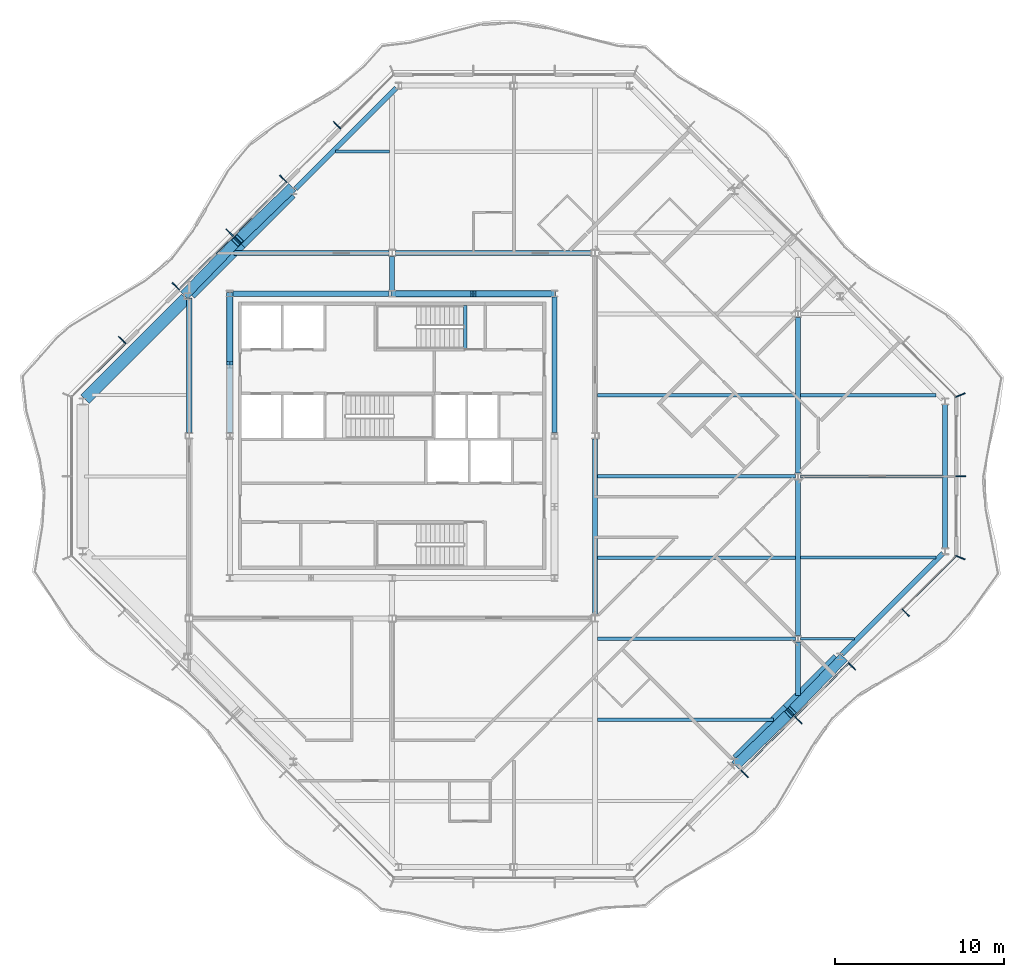
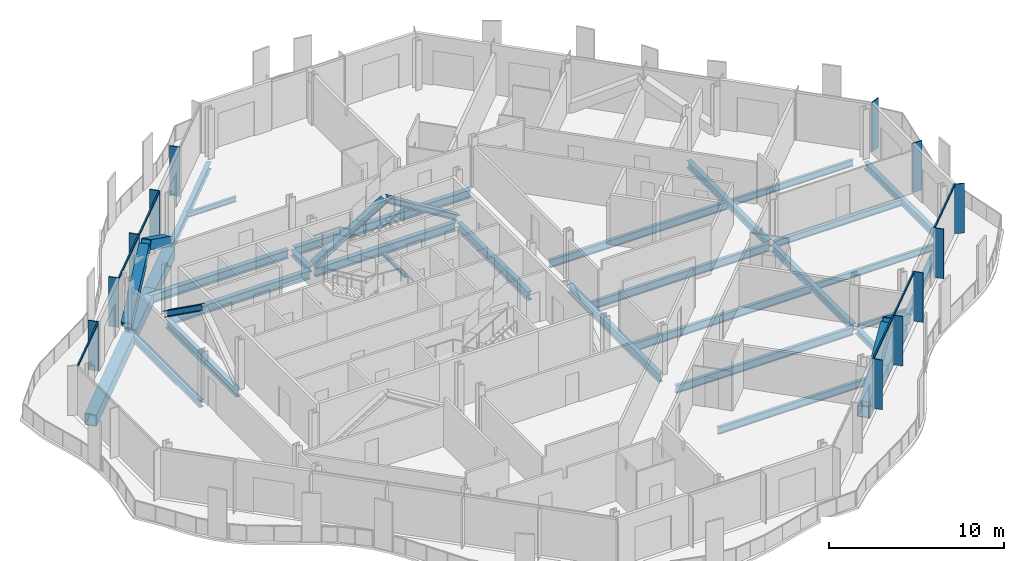
# One storey, part 4 of 16: 31 beams, 25 members, 4 elements without a shape of their own.
"""IFC4 building model written with IfcOpenShell, lengths in metres."""

from ifc_helpers import new_model, si_unit, direction, frame, origin, origin_2d, place, context, subcontext, project, spatial, rectangle, hollow_rectangle, i_section, extrude, material, material_profile, profile_set, type_object, element, aggregate, save


model = new_model("IFC4")

# Units and contexts
model_context = context("Model", 3, precision=1e-05, world=origin(), true_north=direction((0.0, 1.0)))
body_context = subcontext(model_context, "Body", "Model", "MODEL_VIEW")
ifc_project = project(units=[si_unit("LENGTHUNIT", "METRE"), si_unit("AREAUNIT", "SQUARE_METRE"), si_unit("VOLUMEUNIT", "CUBIC_METRE"), si_unit("PLANEANGLEUNIT", "RADIAN"), si_unit("MASSUNIT", "GRAM", prefix="KILO")], contexts=[model_context])

# Site, building, storey
site_placement = place(None, origin())
site = spatial("IfcSite", under=ifc_project, at=site_placement, CompositionType="ELEMENT")
building_placement = place(site_placement, origin())
building = spatial("IfcBuilding", under=site, at=building_placement, Name="Cairn Pilgrim Tower", CompositionType="ELEMENT")
storey_placement = place(building_placement, frame((0.0, 0.0, 277.800048828125)))
storey = spatial("IfcBuildingStorey", under=building, at=storey_placement, Name="L71", CompositionType="ELEMENT", Elevation=277.800048828125)

# Members
ifc_material_1 = material(Name="Structural steel S460M", Category="steel")
ifc_material_profile_1 = material_profile(ifc_material_1, hollow_rectangle(XDim=0.60009765625, YDim=0.60009765625, WallThickness=0.034912109375, at=origin_2d()), Name="BOX 600x600x35")
ifc_profile_set_1 = profile_set([ifc_material_profile_1], Name="Structural steel S460M")
member_type_1 = type_object("IfcMemberType", Name="BOX 600x600x35 BRACE", PredefinedType="BRACE", material=ifc_profile_set_1)
member_1_placement = place(storey_placement, frame((27.609130859375, -16.9921875, 0.14990234375), z_axis=(0.612497315066, 0.592528264357, 0.523218209713), x_axis=(-0.695293517132, 0.718725903967, 0.0)))
element("IfcMember", 1, at=member_1_placement, inside=storey, type_object=member_type_1, Name="XB-SE2-SE3-1", PredefinedType="BRACE", context=body_context, shape_type="SweptSolid", body=[
    extrude(hollow_rectangle(XDim=0.60009765625, YDim=0.60009765625, WallThickness=0.034912109375, at=origin_2d()), origin(), (0.0, 0.0, 1.0), 5.037109375),
])
member_2_placement = place(storey_placement, frame((33.7919921875, -10.80908203125, 0.14990234375), z_axis=(-0.59249681125, -0.612514905413, 0.523233236048), x_axis=(0.718754326239, -0.695264135788, 0.0)))
element("IfcMember", 2, at=member_2_placement, inside=storey, type_object=member_type_1, Name="XB-SE2-SE3-2", PredefinedType="BRACE", context=body_context, shape_type="SweptSolid", body=[
    extrude(hollow_rectangle(XDim=0.60009765625, YDim=0.60009765625, WallThickness=0.034912109375, at=origin_2d()), origin(), (0.0, 0.0, 1.0), 5.036865234375),
])
for number, where, z_axis, x_axis, name in (
    (3, (1.19091796875, 16.9921875, 0.14990234375), (-0.612497315066, -0.592528264357, 0.523218209713), (0.695293517132, -0.718725903967, 0.0), "XB-NW2-NW3-1"),
    (4, (-4.9921875, 10.80908203125, 0.14990234375), (0.592528264357, 0.612497315066, 0.523218209713), (-0.718725903967, 0.695293517132, 0.0), "XB-NW2-NW3-2"),
):
    element("IfcMember", number, at=place(storey_placement, frame(where, z_axis=z_axis, x_axis=x_axis)), inside=storey, type_object=member_type_1, Name=name, PredefinedType="BRACE", context=body_context, shape_type="SweptSolid", body=[
        extrude(hollow_rectangle(XDim=0.60009765625, YDim=0.60009765625, WallThickness=0.034912109375, at=origin_2d()), origin(), (0.0, 0.0, 1.0), 5.037109375),
    ])

# Beams
ifc_material_2 = material(Name="Structural steel S355J2", Category="steel")
ifc_material_profile_2 = material_profile(ifc_material_2, hollow_rectangle(XDim=0.699951171875, YDim=0.800048828125, WallThickness=0.0400390625, at=origin_2d()), Name="BOX 700x800x40")
ifc_profile_set_2 = profile_set([ifc_material_profile_2], Name="Structural steel S355J2")
beam_type_1 = type_object("IfcBeamType", Name="BOX 700x800x40 RING GIRDER", PredefinedType="SPANDREL", material=ifc_profile_set_2)
for number, where, z_axis, x_axis, name in (
    (5, (27.578369140625, -16.748779296875, -0.550048828125), (0.707135695205, 0.707077865986, 0.0), (-0.707077865986, 0.707135695205, 0.0), "RG4-SE2-SE3-1"),
    (6, (30.563720703125, -13.763671875, -0.550048828125), (0.707077865986, 0.707135695205, 0.0), (-0.707135695205, 0.707077865986, 0.0), "RG4-SE2-SE3-2"),
    (7, (1.2216796875, 16.748779296875, -0.550048828125), (-0.707135695205, -0.707077865986, 0.0), (0.707077865986, -0.707135695205, 0.0), "RG4-NW2-NW3-1"),
    (8, (-1.763671875, 13.763671875, -0.550048828125), (-0.707077865986, -0.707135695205, 0.0), (0.707135695205, -0.707077865986, 0.0), "RG4-NW2-NW3-2"),
):
    element("IfcBeam", number, at=place(storey_placement, frame(where, z_axis=z_axis, x_axis=x_axis)), inside=storey, type_object=beam_type_1, Name=name, PredefinedType="SPANDREL", context=body_context, shape_type="SweptSolid", body=[
        extrude(hollow_rectangle(XDim=0.699951171875, YDim=0.800048828125, WallThickness=0.0400390625, at=origin_2d()), origin(), (0.0, 0.0, 1.0), 4.2216796875),
    ])
beam_1_placement = place(storey_placement, frame((-5.002685546875, 10.5244140625, -0.550048828125), z_axis=(-0.707106781187, -0.707106781187, 0.0), x_axis=(0.707106781187, -0.707106781187, 0.0)))
element("IfcBeam", 9, at=beam_1_placement, inside=storey, type_object=beam_type_1, Name="RG4-NW3-W1", PredefinedType="SPANDREL", context=body_context, shape_type="SweptSolid", body=[
    extrude(hollow_rectangle(XDim=0.699951171875, YDim=0.800048828125, WallThickness=0.0400390625, at=origin_2d()), origin(), (0.0, 0.0, 1.0), 8.443115234375),
])

# Curtain wall, members
ifc_material_3 = material(Name="Aluminium alloy 6063-T6 bronze anodised with Bronze tinted laminated low-E glass 8+16+8.8", Category="aluminium")
curtain_wall_type = type_object("IfcCurtainWallType", Name="CROWN CURTAIN WALL", PredefinedType="NOTDEFINED", material=ifc_material_3)
curtain_wall_1_placement = place(storey_placement, origin())
curtain_wall_1 = element("IfcCurtainWall", 10, at=curtain_wall_1_placement, inside=storey, type_object=curtain_wall_type, Name="Crown Curtain Wall SE", PredefinedType="NOTDEFINED")
ifc_material_4 = material(Name="Aluminium alloy 6063-T6 bronze anodised", Category="aluminium")
ifc_material_profile_3 = material_profile(ifc_material_4, rectangle(XDim=0.60009765625, YDim=0.06005859375, at=origin_2d()), Name="FIN MULLION 60x600 BRONZE")
ifc_profile_set_3 = profile_set([ifc_material_profile_3], Name="Aluminium alloy 6063-T6 bronze anodised")
member_type_2 = type_object("IfcMemberType", Name="FIN MULLION 60x600 BRONZE", PredefinedType="MULLION", material=ifc_profile_set_3)
member_3_placement = place(storey_placement, frame((28.03857421875, -17.58984375, 0.0), z_axis=(0.0, 0.0, 1.0), x_axis=(0.707106781187, -0.707106781187, 0.0)))
member_3 = element("IfcMember", 11, at=member_3_placement, type_object=member_type_2, Name="Fin mullion SE3", PredefinedType="MULLION", context=body_context, shape_type="SweptSolid", body=[
    extrude(rectangle(XDim=0.60009765625, YDim=0.06005859375, at=origin_2d()), origin(), (0.0, 0.0, 1.0), 3.449951171875),
])
member_4_placement = place(storey_placement, frame((31.214111328125, -14.4140625, 0.0), z_axis=(0.0, 0.0, 1.0), x_axis=(0.707106781187, -0.707106781187, 0.0)))
member_4 = element("IfcMember", 12, at=member_4_placement, type_object=member_type_2, Name="Fin mullion SE4", PredefinedType="MULLION", context=body_context, shape_type="SweptSolid", body=[
    extrude(rectangle(XDim=0.60009765625, YDim=0.06005859375, at=origin_2d()), origin(), (0.0, 0.0, 1.0), 3.449951171875),
])
member_5_placement = place(storey_placement, frame((34.3896484375, -11.238525390625, 0.0), z_axis=(0.0, 0.0, 1.0), x_axis=(0.707106781187, -0.707106781187, 0.0)))
member_5 = element("IfcMember", 13, at=member_5_placement, type_object=member_type_2, Name="Fin mullion SE5", PredefinedType="MULLION", context=body_context, shape_type="SweptSolid", body=[
    extrude(rectangle(XDim=0.60009765625, YDim=0.06005859375, at=origin_2d()), origin(), (0.0, 0.0, 1.0), 3.449951171875),
])
member_6_placement = place(storey_placement, frame((37.5654296875, -8.06298828125, 0.0), z_axis=(0.0, 0.0, 1.0), x_axis=(0.707106781187, -0.707106781187, 0.0)))
member_6 = element("IfcMember", 14, at=member_6_placement, type_object=member_type_2, Name="Fin mullion SE6", PredefinedType="MULLION", context=body_context, shape_type="SweptSolid", body=[
    extrude(rectangle(XDim=0.60009765625, YDim=0.06005859375, at=origin_2d()), origin(), (0.0, 0.0, 1.0), 3.449951171875),
])

curtain_wall_2_placement = place(storey_placement, origin())
curtain_wall_2 = element("IfcCurtainWall", 15, at=curtain_wall_2_placement, inside=storey, type_object=curtain_wall_type, Name="Crown Curtain Wall E", PredefinedType="NOTDEFINED")
member_7_placement = place(storey_placement, frame((40.799560546875, -4.7998046875, 0.0), z_axis=(0.0, 0.0, 1.0), x_axis=(0.923879532511, -0.382683432365, 0.0)))
member_7 = element("IfcMember", 16, at=member_7_placement, type_object=member_type_2, Name="Fin mullion E1", PredefinedType="MULLION", context=body_context, shape_type="SweptSolid", body=[
    extrude(rectangle(XDim=0.60009765625, YDim=0.06005859375, at=origin_2d()), origin(), (0.0, 0.0, 1.0), 3.449951171875),
])
member_8_placement = place(storey_placement, frame((40.820068359375, 0.0, 0.0), z_axis=(0.0, 0.0, 1.0), x_axis=(1.0, 0.0, 0.0)))
member_8 = element("IfcMember", 17, at=member_8_placement, type_object=member_type_2, Name="Fin mullion E2", PredefinedType="MULLION", context=body_context, shape_type="SweptSolid", body=[
    extrude(rectangle(XDim=0.60009765625, YDim=0.06005859375, at=origin_2d()), origin(), (0.0, 0.0, 1.0), 3.449951171875),
])
aggregate(curtain_wall_2, [member_7, member_8])

# Curtain wall, member
curtain_wall_3_placement = place(storey_placement, origin())
curtain_wall_3 = element("IfcCurtainWall", 18, at=curtain_wall_3_placement, inside=storey, type_object=curtain_wall_type, Name="Crown Curtain Wall NE", PredefinedType="NOTDEFINED")
member_9_placement = place(storey_placement, frame((40.799560546875, 4.7998046875, 0.0), z_axis=(0.0, 0.0, 1.0), x_axis=(0.923879532511, 0.382683432365, 0.0)))
member_9 = element("IfcMember", 19, at=member_9_placement, type_object=member_type_2, Name="Fin mullion NE1", PredefinedType="MULLION", context=body_context, shape_type="SweptSolid", body=[
    extrude(rectangle(XDim=0.60009765625, YDim=0.06005859375, at=origin_2d()), origin(), (0.0, 0.0, 1.0), 3.449951171875),
])
aggregate(curtain_wall_3, [member_9])

# Curtain wall, members
curtain_wall_4_placement = place(storey_placement, origin())
curtain_wall_4 = element("IfcCurtainWall", 20, at=curtain_wall_4_placement, inside=storey, type_object=curtain_wall_type, Name="Crown Curtain Wall NW", PredefinedType="NOTDEFINED")
member_10_placement = place(storey_placement, frame((3.93701171875, 20.765380859375, 0.0), z_axis=(0.0, 0.0, 1.0), x_axis=(-0.707106781187, 0.707106781187, 0.0)))
member_10 = element("IfcMember", 21, at=member_10_placement, type_object=member_type_2, Name="Fin mullion NW2", PredefinedType="MULLION", context=body_context, shape_type="SweptSolid", body=[
    extrude(rectangle(XDim=0.60009765625, YDim=0.06005859375, at=origin_2d()), origin(), (0.0, 0.0, 1.0), 3.449951171875),
])
member_11_placement = place(storey_placement, frame((0.761474609375, 17.58984375, 0.0), z_axis=(0.0, 0.0, 1.0), x_axis=(-0.707106781187, 0.707106781187, 0.0)))
member_11 = element("IfcMember", 22, at=member_11_placement, type_object=member_type_2, Name="Fin mullion NW3", PredefinedType="MULLION", context=body_context, shape_type="SweptSolid", body=[
    extrude(rectangle(XDim=0.60009765625, YDim=0.06005859375, at=origin_2d()), origin(), (0.0, 0.0, 1.0), 3.449951171875),
])
member_12_placement = place(storey_placement, frame((-2.4140625, 14.4140625, 0.0), z_axis=(0.0, 0.0, 1.0), x_axis=(-0.707106781187, 0.707106781187, 0.0)))
member_12 = element("IfcMember", 23, at=member_12_placement, type_object=member_type_2, Name="Fin mullion NW4", PredefinedType="MULLION", context=body_context, shape_type="SweptSolid", body=[
    extrude(rectangle(XDim=0.60009765625, YDim=0.06005859375, at=origin_2d()), origin(), (0.0, 0.0, 1.0), 3.449951171875),
])
member_13_placement = place(storey_placement, frame((-5.58984375, 11.238525390625, 0.0), z_axis=(0.0, 0.0, 1.0), x_axis=(-0.707106781187, 0.707106781187, 0.0)))
member_13 = element("IfcMember", 24, at=member_13_placement, type_object=member_type_2, Name="Fin mullion NW5", PredefinedType="MULLION", context=body_context, shape_type="SweptSolid", body=[
    extrude(rectangle(XDim=0.60009765625, YDim=0.06005859375, at=origin_2d()), origin(), (0.0, 0.0, 1.0), 3.449951171875),
])
member_14_placement = place(storey_placement, frame((-8.765380859375, 8.06298828125, 0.0), z_axis=(0.0, 0.0, 1.0), x_axis=(-0.707106781187, 0.707106781187, 0.0)))
member_14 = element("IfcMember", 25, at=member_14_placement, type_object=member_type_2, Name="Fin mullion NW6", PredefinedType="MULLION", context=body_context, shape_type="SweptSolid", body=[
    extrude(rectangle(XDim=0.60009765625, YDim=0.06005859375, at=origin_2d()), origin(), (0.0, 0.0, 1.0), 3.449951171875),
])

# Members
ifc_material_profile_4 = material_profile(ifc_material_2, i_section(OverallWidth=0.39794921875, OverallDepth=0.386962890625, WebThickness=0.02099609375, FlangeThickness=0.033203125, FilletRadius=0.014892578125, at=origin_2d()), Name="HD 400x262")
ifc_profile_set_4 = profile_set([ifc_material_profile_4], Name="Structural steel S355J2")
member_type_3 = type_object("IfcMemberType", Name="HD 400x262 BRACE", PredefinedType="BRACE", material=ifc_profile_set_4)
for number, where, z_axis, x_axis, name in (
    (26, (16.76025390625, 10.800048828125, 0.099853515625), (-0.851209328867, 0.0, 0.524826331703), (0.0, -1.0, 0.0), "KB-3A"),
    (27, (7.23974609375, 10.800048828125, 0.099853515625), (0.851209328867, 0.0, 0.524826331703), (0.0, 1.0, 0.0), "KB-3B"),
):
    element("IfcMember", number, at=place(storey_placement, frame(where, z_axis=z_axis, x_axis=x_axis)), inside=storey, type_object=member_type_3, Name=name, PredefinedType="BRACE", context=body_context, shape_type="SweptSolid", body=[
        extrude(i_section(OverallWidth=0.39794921875, OverallDepth=0.386962890625, WebThickness=0.02099609375, FlangeThickness=0.033203125, FilletRadius=0.014892578125, at=origin_2d()), origin(), (0.0, 0.0, 1.0), 5.530029296875),
    ])
member_15_placement = place(storey_placement, frame((-2.39990234375, 10.76025390625, 0.099853515625), z_axis=(0.0, -0.814462005215, 0.580216892258), x_axis=(1.0, 0.0, 0.0)))
element("IfcMember", 28, at=member_15_placement, inside=storey, type_object=member_type_3, Name="KB-4A", PredefinedType="BRACE", context=body_context, shape_type="SweptSolid", body=[
    extrude(i_section(OverallWidth=0.39794921875, OverallDepth=0.386962890625, WebThickness=0.02099609375, FlangeThickness=0.033203125, FilletRadius=0.014892578125, at=origin_2d()), origin(), (0.0, 0.0, 1.0), 4.999755859375),
])

# Beams
ifc_material_profile_5 = material_profile(ifc_material_2, i_section(OverallWidth=0.300048828125, OverallDepth=0.39990234375, WebThickness=0.013427734375, FlangeThickness=0.02392578125, FilletRadius=0.027099609375, at=origin_2d()), Name="HEB 400")
ifc_profile_set_5 = profile_set([ifc_material_profile_5], Name="Structural steel S355J2")
beam_type_2 = type_object("IfcBeamType", Name="HEB 400 GIRDER", PredefinedType="BEAM", material=ifc_profile_set_5)
beam_2_placement = place(storey_placement, frame((7.199951171875, 10.9990234375, -0.35009765625), z_axis=(0.0, 1.0, 0.0), x_axis=(-1.0, 0.0, 0.0)))
element("IfcBeam", 29, at=beam_2_placement, inside=storey, type_object=beam_type_2, Name="PG3-E2", PredefinedType="BEAM", context=body_context, shape_type="SweptSolid", body=[
    extrude(i_section(OverallWidth=0.300048828125, OverallDepth=0.39990234375, WebThickness=0.013427734375, FlangeThickness=0.02392578125, FilletRadius=0.027099609375, at=origin_2d()), origin(), (0.0, 0.0, 1.0), 2.00390625),
])
beam_3_placement = place(storey_placement, frame((31.199951171875, -12.945068359375, -0.35009765625), z_axis=(0.0, 1.0, 0.0), x_axis=(-1.0, 0.0, 0.0)))
element("IfcBeam", 30, at=beam_3_placement, inside=storey, type_object=beam_type_2, Name="PG5-1", PredefinedType="BEAM", context=body_context, shape_type="SweptSolid", body=[
    extrude(i_section(OverallWidth=0.300048828125, OverallDepth=0.39990234375, WebThickness=0.013427734375, FlangeThickness=0.02392578125, FilletRadius=0.027099609375, at=origin_2d()), origin(), (0.0, 0.0, 1.0), 3.14794921875),
])
ifc_material_profile_6 = material_profile(ifc_material_2, i_section(OverallWidth=0.300048828125, OverallDepth=0.5, WebThickness=0.014404296875, FlangeThickness=0.028076171875, FilletRadius=0.027099609375, at=origin_2d()), Name="HEB 500")
ifc_profile_set_6 = profile_set([ifc_material_profile_6], Name="Structural steel S355J2")
beam_type_3 = type_object("IfcBeamType", Name="HEB 500 GIRDER", PredefinedType="BEAM", material=ifc_profile_set_6)
beam_4_placement = place(storey_placement, frame((-4.800048828125, 2.596923828125, -0.400146484375), z_axis=(0.0, 1.0, 0.0), x_axis=(-1.0, 0.0, 0.0)))
element("IfcBeam", 31, at=beam_4_placement, inside=storey, type_object=beam_type_3, Name="PG2-2", PredefinedType="BEAM", context=body_context, shape_type="SweptSolid", body=[
    extrude(i_section(OverallWidth=0.300048828125, OverallDepth=0.5, WebThickness=0.014404296875, FlangeThickness=0.028076171875, FilletRadius=0.027099609375, at=origin_2d()), origin(), (0.0, 0.0, 1.0), 7.9482421875),
])
for number, where, z_axis, x_axis, name in (
    (32, (31.199951171875, -9.403076171875, -0.400146484375), (0.0, 1.0, 0.0), (-1.0, 0.0, 0.0), "PG5-2"),
    (33, (31.199951171875, 0.197021484375, -0.400146484375), (0.0, 1.0, 0.0), (-1.0, 0.0, 0.0), "PG5-3"),
):
    element("IfcBeam", number, at=place(storey_placement, frame(where, z_axis=z_axis, x_axis=x_axis)), inside=storey, type_object=beam_type_3, Name=name, PredefinedType="BEAM", context=body_context, shape_type="SweptSolid", body=[
        extrude(i_section(OverallWidth=0.300048828125, OverallDepth=0.5, WebThickness=0.014404296875, FlangeThickness=0.028076171875, FilletRadius=0.027099609375, at=origin_2d()), origin(), (0.0, 0.0, 1.0), 9.2060546875),
    ])
ifc_material_profile_7 = material_profile(ifc_material_2, i_section(OverallWidth=0.300048828125, OverallDepth=0.5, WebThickness=0.014404296875, FlangeThickness=0.028076171875, FilletRadius=0.027099609375, at=origin_2d()), Name="HEB 500")
ifc_profile_set_7 = profile_set([ifc_material_profile_7], Name="Structural steel S355J2")
beam_type_4 = type_object("IfcBeamType", Name="HEB 500 RING GIRDER", PredefinedType="SPANDREL", material=ifc_profile_set_7)
beam_5_placement = place(storey_placement, frame((33.802734375, -10.5244140625, -0.400146484375), z_axis=(0.707106781187, 0.707106781187, 0.0), x_axis=(-0.707106781187, 0.707106781187, 0.0)))
element("IfcBeam", 34, at=beam_5_placement, inside=storey, type_object=beam_type_4, Name="RG4-SE3-E1", PredefinedType="SPANDREL", context=body_context, shape_type="SweptSolid", body=[
    extrude(i_section(OverallWidth=0.300048828125, OverallDepth=0.5, WebThickness=0.014404296875, FlangeThickness=0.028076171875, FilletRadius=0.027099609375, at=origin_2d()), origin(), (0.0, 0.0, 1.0), 8.443115234375),
])
beam_6_placement = place(storey_placement, frame((39.89990234375, -4.247802734375, -0.400146484375), z_axis=(0.0, 1.0, 0.0), x_axis=(-1.0, 0.0, 0.0)))
element("IfcBeam", 35, at=beam_6_placement, inside=storey, type_object=beam_type_4, Name="RG4-E1-NE1", PredefinedType="SPANDREL", context=body_context, shape_type="SweptSolid", body=[
    extrude(i_section(OverallWidth=0.300048828125, OverallDepth=0.5, WebThickness=0.014404296875, FlangeThickness=0.028076171875, FilletRadius=0.027099609375, at=origin_2d()), origin(), (0.0, 0.0, 1.0), 8.49560546875),
])
beam_7_placement = place(storey_placement, frame((7.44580078125, 22.972900390625, -0.400146484375), z_axis=(-0.707106781187, -0.707106781187, 0.0), x_axis=(0.707106781187, -0.707106781187, 0.0)))
element("IfcBeam", 36, at=beam_7_placement, inside=storey, type_object=beam_type_4, Name="RG4-NW1-NW2", PredefinedType="SPANDREL", context=body_context, shape_type="SweptSolid", body=[
    extrude(i_section(OverallWidth=0.300048828125, OverallDepth=0.5, WebThickness=0.014404296875, FlangeThickness=0.028076171875, FilletRadius=0.027099609375, at=origin_2d()), origin(), (0.0, 0.0, 1.0), 8.443115234375),
])
ifc_material_profile_8 = material_profile(ifc_material_2, i_section(OverallWidth=0.300048828125, OverallDepth=0.60009765625, WebThickness=0.015380859375, FlangeThickness=0.030029296875, FilletRadius=0.027099609375, at=origin_2d()), Name="HEB 600")
ifc_profile_set_8 = profile_set([ifc_material_profile_8], Name="Structural steel S355J2")
beam_type_5 = type_object("IfcBeamType", Name="HEB 600 CORE BEAM", PredefinedType="BEAM", material=ifc_profile_set_8)
beam_8_placement = place(storey_placement, frame((16.800048828125, 2.5791015625, -0.449951171875), z_axis=(0.0, 1.0, 0.0), x_axis=(-1.0, 0.0, 0.0)))
element("IfcBeam", 37, at=beam_8_placement, inside=storey, type_object=beam_type_5, Name="CB-4", PredefinedType="BEAM", context=body_context, shape_type="SweptSolid", body=[
    extrude(i_section(OverallWidth=0.300048828125, OverallDepth=0.60009765625, WebThickness=0.015380859375, FlangeThickness=0.030029296875, FilletRadius=0.027099609375, at=origin_2d()), origin(), (0.0, 0.0, 1.0), 8.041748046875),
])
beam_9_placement = place(storey_placement, frame((16.620849609375, 10.800048828125, -0.449951171875), z_axis=(-1.0, 0.0, 0.0), x_axis=(0.0, -1.0, 0.0)))
element("IfcBeam", 38, at=beam_9_placement, inside=storey, type_object=beam_type_5, Name="CB-5", PredefinedType="BEAM", context=body_context, shape_type="SweptSolid", body=[
    extrude(i_section(OverallWidth=0.300048828125, OverallDepth=0.60009765625, WebThickness=0.015380859375, FlangeThickness=0.030029296875, FilletRadius=0.027099609375, at=origin_2d()), origin(), (0.0, 0.0, 1.0), 9.24169921875),
])
beam_10_placement = place(storey_placement, frame((7.02099609375, 10.800048828125, -0.449951171875), z_axis=(-1.0, 0.0, 0.0), x_axis=(0.0, -1.0, 0.0)))
element("IfcBeam", 39, at=beam_10_placement, inside=storey, type_object=beam_type_5, Name="CB-6", PredefinedType="BEAM", context=body_context, shape_type="SweptSolid", body=[
    extrude(i_section(OverallWidth=0.300048828125, OverallDepth=0.60009765625, WebThickness=0.015380859375, FlangeThickness=0.030029296875, FilletRadius=0.027099609375, at=origin_2d()), origin(), (0.0, 0.0, 1.0), 9.241943359375),
])
beam_11_placement = place(storey_placement, frame((-2.39990234375, 10.620849609375, -0.449951171875), z_axis=(0.0, -1.0, 0.0), x_axis=(1.0, 0.0, 0.0)))
element("IfcBeam", 40, at=beam_11_placement, inside=storey, type_object=beam_type_5, Name="CB-7", PredefinedType="BEAM", context=body_context, shape_type="SweptSolid", body=[
    extrude(i_section(OverallWidth=0.300048828125, OverallDepth=0.60009765625, WebThickness=0.015380859375, FlangeThickness=0.030029296875, FilletRadius=0.027099609375, at=origin_2d()), origin(), (0.0, 0.0, 1.0), 8.041748046875),
])
ifc_material_profile_9 = material_profile(ifc_material_2, i_section(OverallWidth=0.300048828125, OverallDepth=0.60009765625, WebThickness=0.015380859375, FlangeThickness=0.030029296875, FilletRadius=0.027099609375, at=origin_2d()), Name="HEB 600")
ifc_profile_set_9 = profile_set([ifc_material_profile_9], Name="Structural steel S355J2")
beam_type_6 = type_object("IfcBeamType", Name="HEB 600 GIRDER", PredefinedType="BEAM", material=ifc_profile_set_9)
beam_12_placement = place(storey_placement, frame((19.199951171875, -8.202880859375, -0.449951171875), z_axis=(0.0, 1.0, 0.0), x_axis=(-1.0, 0.0, 0.0)))
element("IfcBeam", 41, at=beam_12_placement, inside=storey, type_object=beam_type_6, Name="PG4-2", PredefinedType="BEAM", context=body_context, shape_type="SweptSolid", body=[
    extrude(i_section(OverallWidth=0.300048828125, OverallDepth=0.60009765625, WebThickness=0.015380859375, FlangeThickness=0.030029296875, FilletRadius=0.027099609375, at=origin_2d()), origin(), (0.0, 0.0, 1.0), 10.40576171875),
])
ifc_material_profile_10 = material_profile(ifc_material_2, i_section(OverallWidth=0.300048828125, OverallDepth=0.60009765625, WebThickness=0.015380859375, FlangeThickness=0.030029296875, FilletRadius=0.027099609375, at=origin_2d()), Name="HEB 600")
ifc_profile_set_10 = profile_set([ifc_material_profile_10], Name="Structural steel S355J2")
beam_type_7 = type_object("IfcBeamType", Name="HEB 600 INNER GIRDER", PredefinedType="BEAM", material=ifc_profile_set_10)
beam_13_placement = place(storey_placement, frame((-2.14501953125, 13.199951171875, -0.449951171875), z_axis=(1.0, 0.0, 0.0), x_axis=(0.0, 1.0, 0.0)))
element("IfcBeam", 42, at=beam_13_placement, inside=storey, type_object=beam_type_7, Name="IG2-1", PredefinedType="BEAM", context=body_context, shape_type="SweptSolid", body=[
    extrude(i_section(OverallWidth=0.300048828125, OverallDepth=0.60009765625, WebThickness=0.015380859375, FlangeThickness=0.030029296875, FilletRadius=0.027099609375, at=origin_2d()), origin(), (0.0, 0.0, 1.0), 9.14794921875),
])
beam_14_placement = place(storey_placement, frame((7.39697265625, 13.199951171875, -0.449951171875), z_axis=(1.0, 0.0, 0.0), x_axis=(0.0, 1.0, 0.0)))
element("IfcBeam", 43, at=beam_14_placement, inside=storey, type_object=beam_type_7, Name="IG2-2", PredefinedType="BEAM", context=body_context, shape_type="SweptSolid", body=[
    extrude(i_section(OverallWidth=0.300048828125, OverallDepth=0.60009765625, WebThickness=0.015380859375, FlangeThickness=0.030029296875, FilletRadius=0.027099609375, at=origin_2d()), origin(), (0.0, 0.0, 1.0), 11.60595703125),
])
ifc_material_profile_11 = material_profile(ifc_material_2, i_section(OverallWidth=0.169921875, OverallDepth=0.360107421875, WebThickness=0.008056640625, FlangeThickness=0.0126953125, FilletRadius=0.01806640625, at=origin_2d()), Name="IPE 360")
ifc_profile_set_11 = profile_set([ifc_material_profile_11], Name="Structural steel S355J2")
beam_type_8 = type_object("IfcBeamType", Name="IPE 360 SECONDARY BEAM", PredefinedType="JOIST", material=ifc_profile_set_11)
for number, where, z_axis, x_axis, name in (
    (44, (31.35009765625, -9.60009765625, -0.330078125), (1.0, 0.0, 0.0), (0.0, 1.0, 0.0), "SB3-2"),
    (45, (3.85498046875, 19.199951171875, -0.330078125), (1.0, 0.0, 0.0), (0.0, 1.0, 0.0), "SB9-1"),
):
    element("IfcBeam", number, at=place(storey_placement, frame(where, z_axis=z_axis, x_axis=x_axis)), inside=storey, type_object=beam_type_8, Name=name, PredefinedType="JOIST", context=body_context, shape_type="SweptSolid", body=[
        extrude(i_section(OverallWidth=0.169921875, OverallDepth=0.360107421875, WebThickness=0.008056640625, FlangeThickness=0.0126953125, FilletRadius=0.01806640625, at=origin_2d()), origin(), (0.0, 0.0, 1.0), 3.195068359375),
    ])
ifc_material_profile_12 = material_profile(ifc_material_2, i_section(OverallWidth=0.18994140625, OverallDepth=0.449951171875, WebThickness=0.009521484375, FlangeThickness=0.0146484375, FilletRadius=0.02099609375, at=origin_2d()), Name="IPE 450")
ifc_profile_set_12 = profile_set([ifc_material_profile_12], Name="Structural steel S355J2")
beam_type_9 = type_object("IfcBeamType", Name="IPE 450 SECONDARY BEAM", PredefinedType="JOIST", material=ifc_profile_set_12)
beam_15_placement = place(storey_placement, frame((31.35009765625, -4.800048828125, -0.375), z_axis=(1.0, 0.0, 0.0), x_axis=(0.0, 1.0, 0.0)))
element("IfcBeam", 46, at=beam_15_placement, inside=storey, type_object=beam_type_9, Name="SB4-3", PredefinedType="JOIST", context=body_context, shape_type="SweptSolid", body=[
    extrude(i_section(OverallWidth=0.18994140625, OverallDepth=0.449951171875, WebThickness=0.009521484375, FlangeThickness=0.0146484375, FilletRadius=0.02099609375, at=origin_2d()), origin(), (0.0, 0.0, 1.0), 7.9951171875),
])
beam_16_placement = place(storey_placement, frame((31.35009765625, 0.0, -0.375), z_axis=(1.0, 0.0, 0.0), x_axis=(0.0, 1.0, 0.0)))
element("IfcBeam", 47, at=beam_16_placement, inside=storey, type_object=beam_type_9, Name="SB5-3", PredefinedType="JOIST", context=body_context, shape_type="SweptSolid", body=[
    extrude(i_section(OverallWidth=0.18994140625, OverallDepth=0.449951171875, WebThickness=0.009521484375, FlangeThickness=0.0146484375, FilletRadius=0.02099609375, at=origin_2d()), origin(), (0.0, 0.0, 1.0), 8.429931640625),
])
beam_17_placement = place(storey_placement, frame((31.35009765625, 4.800048828125, -0.375), z_axis=(1.0, 0.0, 0.0), x_axis=(0.0, 1.0, 0.0)))
element("IfcBeam", 48, at=beam_17_placement, inside=storey, type_object=beam_type_9, Name="SB6-3", PredefinedType="JOIST", context=body_context, shape_type="SweptSolid", body=[
    extrude(i_section(OverallWidth=0.18994140625, OverallDepth=0.449951171875, WebThickness=0.009521484375, FlangeThickness=0.0146484375, FilletRadius=0.02099609375, at=origin_2d()), origin(), (0.0, 0.0, 1.0), 7.9951171875),
])
ifc_material_profile_13 = material_profile(ifc_material_2, i_section(OverallWidth=0.199951171875, OverallDepth=0.5, WebThickness=0.01025390625, FlangeThickness=0.01611328125, FilletRadius=0.02099609375, at=origin_2d()), Name="IPE 500")
ifc_profile_set_13 = profile_set([ifc_material_profile_13], Name="Structural steel S355J2")
beam_type_10 = type_object("IfcBeamType", Name="IPE 500 SECONDARY BEAM", PredefinedType="JOIST", material=ifc_profile_set_13)
beam_18_placement = place(storey_placement, frame((19.35009765625, -14.39990234375, -0.400146484375), z_axis=(1.0, 0.0, 0.0), x_axis=(0.0, 1.0, 0.0)))
element("IfcBeam", 49, at=beam_18_placement, inside=storey, type_object=beam_type_10, Name="SB2-3", PredefinedType="JOIST", context=body_context, shape_type="SweptSolid", body=[
    extrude(i_section(OverallWidth=0.199951171875, OverallDepth=0.5, WebThickness=0.01025390625, FlangeThickness=0.01611328125, FilletRadius=0.02099609375, at=origin_2d()), origin(), (0.0, 0.0, 1.0), 10.39501953125),
])
ifc_material_profile_14 = material_profile(ifc_material_2, i_section(OverallWidth=0.2099609375, OverallDepth=0.550048828125, WebThickness=0.010986328125, FlangeThickness=0.01708984375, FilletRadius=0.02392578125, at=origin_2d()), Name="IPE 550")
ifc_profile_set_14 = profile_set([ifc_material_profile_14], Name="Structural steel S355J2")
beam_type_11 = type_object("IfcBeamType", Name="IPE 550 SECONDARY BEAM", PredefinedType="JOIST", material=ifc_profile_set_14)
for number, where, z_axis, x_axis, name in (
    (50, (19.35009765625, -9.60009765625, -0.425048828125), (1.0, 0.0, 0.0), (0.0, 1.0, 0.0), "SB3-1"),
    (51, (19.35009765625, -4.800048828125, -0.425048828125), (1.0, 0.0, 0.0), (0.0, 1.0, 0.0), "SB4-2"),
    (52, (19.35009765625, 0.0, -0.425048828125), (1.0, 0.0, 0.0), (0.0, 1.0, 0.0), "SB5-2"),
    (53, (19.35009765625, 4.800048828125, -0.425048828125), (1.0, 0.0, 0.0), (0.0, 1.0, 0.0), "SB6-2"),
):
    element("IfcBeam", number, at=place(storey_placement, frame(where, z_axis=z_axis, x_axis=x_axis)), inside=storey, type_object=beam_type_11, Name=name, PredefinedType="JOIST", context=body_context, shape_type="SweptSolid", body=[
        extrude(i_section(OverallWidth=0.2099609375, OverallDepth=0.550048828125, WebThickness=0.010986328125, FlangeThickness=0.01708984375, FilletRadius=0.02392578125, at=origin_2d()), origin(), (0.0, 0.0, 1.0), 11.699951171875),
    ])
ifc_material_profile_15 = material_profile(ifc_material_2, i_section(OverallWidth=0.199951171875, OverallDepth=0.199951171875, WebThickness=0.009033203125, FlangeThickness=0.014892578125, FilletRadius=0.01806640625, at=origin_2d()), Name="HE 200 B")
ifc_profile_set_15 = profile_set([ifc_material_profile_15], Name="Structural steel S355J2")
beam_type_12 = type_object("IfcBeamType", Name="STAIR LANDING BEAM HE 200 B", PredefinedType="BEAM", material=ifc_profile_set_15)
beam_19_placement = place(storey_placement, frame((11.5244140625, 10.10009765625, -0.25), z_axis=(0.0, -1.0, 0.0), x_axis=(1.0, 0.0, 0.0)))
element("IfcBeam", 54, at=beam_19_placement, inside=storey, type_object=beam_type_12, Name="STAIR LANDING BEAM LD-HE200B", PredefinedType="BEAM", context=body_context, shape_type="SweptSolid", body=[
    extrude(i_section(OverallWidth=0.199951171875, OverallDepth=0.199951171875, WebThickness=0.009033203125, FlangeThickness=0.014892578125, FilletRadius=0.01806640625, at=origin_2d()), origin(), (0.0, 0.0, 1.0), 2.525146484375),
])

# Member
ifc_material_profile_16 = material_profile(ifc_material_4, rectangle(XDim=0.080078125, YDim=0.14990234375, at=origin_2d()), Name="TRANSOM 80x150 BRONZE")
ifc_profile_set_16 = profile_set([ifc_material_profile_16], Name="Aluminium alloy 6063-T6 bronze anodised")
member_type_4 = type_object("IfcMemberType", Name="TRANSOM 80x150 BRONZE", PredefinedType="USERDEFINED", material=ifc_profile_set_16)
member_16_placement = place(storey_placement, frame((27.868896484375, -17.377685546875, 3.375), z_axis=(0.707079231393, 0.707134329907, 0.0), x_axis=(-0.707134329907, 0.707079231393, 0.0)))
member_16 = element("IfcMember", 55, at=member_16_placement, type_object=member_type_4, Name="Transom SE3", ObjectType="TRANSOM", PredefinedType="USERDEFINED", context=body_context, shape_type="SweptSolid", body=[
    extrude(rectangle(XDim=0.080078125, YDim=0.14990234375, at=origin_2d()), origin(), (0.0, 0.0, 1.0), 4.430908203125),
])

member_17_placement = place(storey_placement, frame((31.04443359375, -14.201904296875, 3.375), z_axis=(0.707106781187, 0.707106781187, 0.0), x_axis=(-0.707106781187, 0.707106781187, 0.0)))
member_17 = element("IfcMember", 56, at=member_17_placement, type_object=member_type_4, Name="Transom SE4", ObjectType="TRANSOM", PredefinedType="USERDEFINED", context=body_context, shape_type="SweptSolid", body=[
    extrude(rectangle(XDim=0.080078125, YDim=0.14990234375, at=origin_2d()), origin(), (0.0, 0.0, 1.0), 4.430908203125),
])

member_18_placement = place(storey_placement, frame((37.3955078125, -7.850830078125, 3.375), z_axis=(0.707106781187, 0.707106781187, 0.0), x_axis=(-0.707106781187, 0.707106781187, 0.0)))
member_18 = element("IfcMember", 57, at=member_18_placement, type_object=member_type_4, Name="Transom SE6", ObjectType="TRANSOM", PredefinedType="USERDEFINED", context=body_context, shape_type="SweptSolid", body=[
    extrude(rectangle(XDim=0.080078125, YDim=0.14990234375, at=origin_2d()), origin(), (0.0, 0.0, 1.0), 4.421142578125),
])

aggregate(curtain_wall_1, [member_3, member_4, member_5, member_6, member_16, member_17, member_18])

member_19_placement = place(storey_placement, frame((0.93115234375, 17.377685546875, 3.375), z_axis=(-0.707079231393, -0.707134329907, 0.0), x_axis=(0.707134329907, -0.707079231393, 0.0)))
member_19 = element("IfcMember", 58, at=member_19_placement, type_object=member_type_4, Name="Transom NW3", ObjectType="TRANSOM", PredefinedType="USERDEFINED", context=body_context, shape_type="SweptSolid", body=[
    extrude(rectangle(XDim=0.080078125, YDim=0.14990234375, at=origin_2d()), origin(), (0.0, 0.0, 1.0), 4.430908203125),
])

member_20_placement = place(storey_placement, frame((-2.244384765625, 14.201904296875, 3.375), z_axis=(-0.707134329907, -0.707079231393, 0.0), x_axis=(0.707079231393, -0.707134329907, 0.0)))
member_20 = element("IfcMember", 59, at=member_20_placement, type_object=member_type_4, Name="Transom NW4", ObjectType="TRANSOM", PredefinedType="USERDEFINED", context=body_context, shape_type="SweptSolid", body=[
    extrude(rectangle(XDim=0.080078125, YDim=0.14990234375, at=origin_2d()), origin(), (0.0, 0.0, 1.0), 4.430908203125),
])

member_21_placement = place(storey_placement, frame((-8.595703125, 7.850830078125, 3.375), z_axis=(-0.707079168996, -0.707134392299, 0.0), x_axis=(0.707134392299, -0.707079168996, 0.0)))
member_21 = element("IfcMember", 60, at=member_21_placement, type_object=member_type_4, Name="Transom NW6", ObjectType="TRANSOM", PredefinedType="USERDEFINED", context=body_context, shape_type="SweptSolid", body=[
    extrude(rectangle(XDim=0.080078125, YDim=0.14990234375, at=origin_2d()), origin(), (0.0, 0.0, 1.0), 4.4208984375),
])

aggregate(curtain_wall_4, [member_10, member_11, member_12, member_13, member_14, member_19, member_20, member_21])

save(model, "model.ifc")
